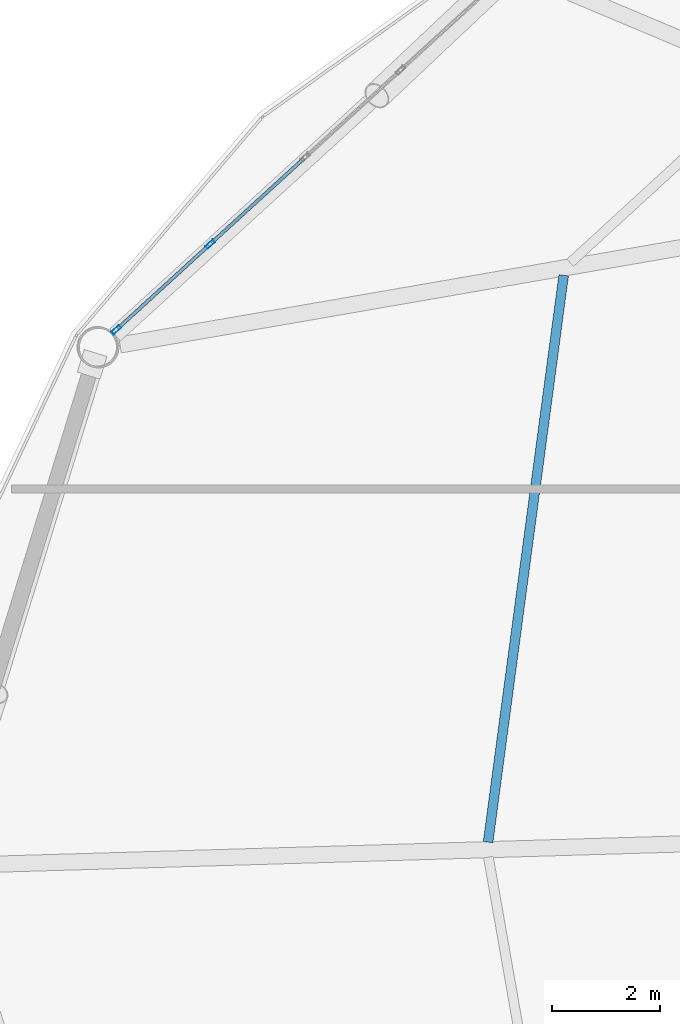
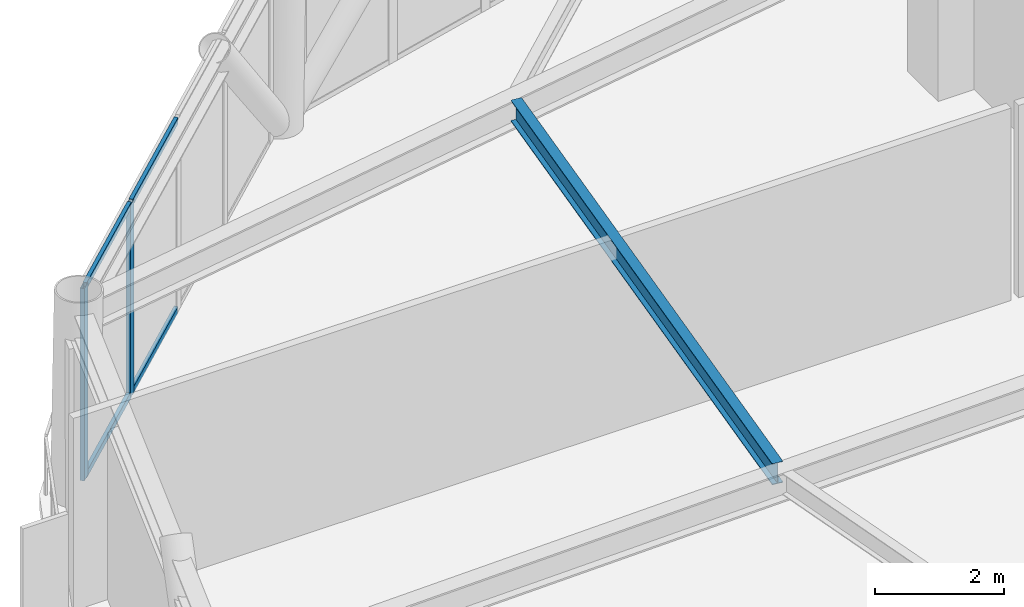
# One storey, part 10 of 25: 6 members, 1 beam, 1 element without a shape of its own.
"""IFC4 building model written with IfcOpenShell, lengths in metres."""

from ifc_helpers import new_model, si_unit, direction, frame, origin, origin_2d, place, context, subcontext, project, spatial, hollow_rectangle, i_section, extrude, material, layer, layer_set, material_profile, profile_set, type_object, element, aggregate, save


model = new_model("IFC4")

# Units and contexts
model_context = context("Model", 3, precision=1e-05, world=origin(), true_north=direction((0.0, 1.0)))
body_context = subcontext(model_context, "Body", "Model", "MODEL_VIEW")
ifc_project = project(units=[si_unit("LENGTHUNIT", "METRE"), si_unit("AREAUNIT", "SQUARE_METRE"), si_unit("VOLUMEUNIT", "CUBIC_METRE"), si_unit("PLANEANGLEUNIT", "RADIAN"), si_unit("MASSUNIT", "GRAM", prefix="KILO")], contexts=[model_context])

# Site, building, storey
site_placement = place(None, origin())
site = spatial("IfcSite", under=ifc_project, at=site_placement, CompositionType="ELEMENT")
building_placement = place(site_placement, origin())
building = spatial("IfcBuilding", under=site, at=building_placement, Name="Varnakorn Sky Granary", CompositionType="ELEMENT")
storey_placement = place(building_placement, frame((0.0, 0.0, 122.699951171875)))
storey = spatial("IfcBuildingStorey", under=building, at=storey_placement, Name="L30", CompositionType="ELEMENT", Elevation=122.699951171875)

# Beam
ifc_material_1 = material(Name="Steel S355JR", Category="steel")
ifc_material_profile_1 = material_profile(ifc_material_1, i_section(OverallWidth=0.179931640625, OverallDepth=0.39990234375, WebThickness=0.008544921875, FlangeThickness=0.013427734375, at=origin_2d()), Name="IPE 400")
ifc_profile_set_1 = profile_set([ifc_material_profile_1], Name="Steel S355JR")
beam_type = type_object("IfcBeamType", Name="BM-SEC-Z3", PredefinedType="BEAM", material=ifc_profile_set_1)
beam_placement = place(storey_placement, frame((-11.119140625, 10.976318359375, 3.43994140625), z_axis=(-0.132223886247, -0.99121987667, 0.0), x_axis=(0.99121987667, -0.132223886247, 0.0)))
element("IfcBeam", 1, at=beam_placement, inside=storey, type_object=beam_type, Name="Secondary Floor Chord Beam MSB06 L30", PredefinedType="BEAM", context=body_context, shape_type="SweptSolid", body=[
    extrude(i_section(OverallWidth=0.179931640625, OverallDepth=0.39990234375, WebThickness=0.008544921875, FlangeThickness=0.013427734375, at=origin_2d()), origin(), (0.0, 0.0, 1.0), 10.631591796875),
])

# Curtain wall, members
ifc_material_2 = material(Name="Anodised Bronze Aluminium Alloy 6063-T6", Category="aluminium")
ifc_layer = layer(ifc_material_2, 0.179931640625, Name="Anodised Bronze Aluminium Alloy 6063-T6")
ifc_layer_set = layer_set([ifc_layer], Name="Anodised Bronze Aluminium Alloy 6063-T6")
curtain_wall_type = type_object("IfcCurtainWallType", Name="CW-FRM-2", PredefinedType="USERDEFINED", material=ifc_layer_set)
curtain_wall_placement = place(storey_placement, origin())
curtain_wall = element("IfcCurtainWall", 2, at=curtain_wall_placement, inside=storey, type_object=curtain_wall_type, Name="Unitised Curtain Wall CW4 CW-L30-B05", ObjectType="CURTAIN WALL", PredefinedType="USERDEFINED")
ifc_material_profile_2 = material_profile(ifc_material_2, hollow_rectangle(XDim=0.070068359375, YDim=0.18505859375, WallThickness=0.00390625, at=origin_2d()), Name="ALU MULL 70x185")
ifc_profile_set_2 = profile_set([ifc_material_profile_2], Name="Anodised Bronze Aluminium Alloy 6063-T6")
member_type_1 = type_object("IfcMemberType", Name="CW-FRM-2-MULL", PredefinedType="MULLION", material=ifc_profile_set_2)
member_1_placement = place(storey_placement, frame((-19.4345703125, 9.964111328125, 0.0), z_axis=(0.0, 0.0, 1.0), x_axis=(-0.674407385715, 0.738359450466, 0.0)))
member_1 = element("IfcMember", 3, at=member_1_placement, type_object=member_type_1, Name="CW4 mullion 1", PredefinedType="MULLION", context=body_context, shape_type="SweptSolid", body=[
    extrude(hollow_rectangle(XDim=0.070068359375, YDim=0.18505859375, WallThickness=0.00390625, at=origin_2d()), origin(), (0.0, 0.0, 1.0), 3.64013671875),
])
member_2_placement = place(storey_placement, frame((-17.691162109375, 11.556396484375, 0.0), z_axis=(0.0, 0.0, 1.0), x_axis=(-0.674407385715, 0.738359450466, 0.0)))
member_2 = element("IfcMember", 4, at=member_2_placement, type_object=member_type_1, Name="CW4 mullion 2", PredefinedType="MULLION", context=body_context, shape_type="SweptSolid", body=[
    extrude(hollow_rectangle(XDim=0.070068359375, YDim=0.18505859375, WallThickness=0.00390625, at=origin_2d()), origin(), (0.0, 0.0, 1.0), 3.64013671875),
])
ifc_material_profile_3 = material_profile(ifc_material_2, hollow_rectangle(XDim=0.06494140625, YDim=0.1201171875, WallThickness=0.00341796875, at=origin_2d()), Name="ALU TRAN 65x120")
ifc_profile_set_3 = profile_set([ifc_material_profile_3], Name="Anodised Bronze Aluminium Alloy 6063-T6")
member_type_2 = type_object("IfcMemberType", Name="CW-FRM-2-TRAN", PredefinedType="USERDEFINED", material=ifc_profile_set_3)
member_3_placement = place(storey_placement, frame((-19.408935546875, 9.987548828125, 0.032470703125), z_axis=(0.738347081543, 0.674420927297, 0.0), x_axis=(-0.674420927297, 0.738347081543, 0.0)))
member_3 = element("IfcMember", 5, at=member_3_placement, type_object=member_type_2, Name="CW4 transom 1.1", ObjectType="TRANSOM", PredefinedType="USERDEFINED", context=body_context, shape_type="SweptSolid", body=[
    extrude(hollow_rectangle(XDim=0.06494140625, YDim=0.1201171875, WallThickness=0.00341796875, at=origin_2d()), origin(), (0.0, 0.0, 1.0), 2.29150390625),
])
member_4_placement = place(storey_placement, frame((-19.408935546875, 9.987548828125, 3.607666015625), z_axis=(0.738347081543, 0.674420927297, 0.0), x_axis=(-0.674420927297, 0.738347081543, 0.0)))
member_4 = element("IfcMember", 6, at=member_4_placement, type_object=member_type_2, Name="CW4 transom 1.2", ObjectType="TRANSOM", PredefinedType="USERDEFINED", context=body_context, shape_type="SweptSolid", body=[
    extrude(hollow_rectangle(XDim=0.06494140625, YDim=0.1201171875, WallThickness=0.00341796875, at=origin_2d()), origin(), (0.0, 0.0, 1.0), 2.29150390625),
])
member_5_placement = place(storey_placement, frame((-17.665283203125, 11.580078125, 0.032470703125), z_axis=(0.738342330442, 0.674426128703, 0.0), x_axis=(-0.674426128703, 0.738342330442, 0.0)))
member_5 = element("IfcMember", 7, at=member_5_placement, type_object=member_type_2, Name="CW4 transom 2.1", ObjectType="TRANSOM", PredefinedType="USERDEFINED", context=body_context, shape_type="SweptSolid", body=[
    extrude(hollow_rectangle(XDim=0.06494140625, YDim=0.1201171875, WallThickness=0.00341796875, at=origin_2d()), origin(), (0.0, 0.0, 1.0), 2.326171875),
])
member_6_placement = place(storey_placement, frame((-17.665283203125, 11.580078125, 3.607666015625), z_axis=(0.738342330442, 0.674426128703, 0.0), x_axis=(-0.674426128703, 0.738342330442, 0.0)))
member_6 = element("IfcMember", 8, at=member_6_placement, type_object=member_type_2, Name="CW4 transom 2.2", ObjectType="TRANSOM", PredefinedType="USERDEFINED", context=body_context, shape_type="SweptSolid", body=[
    extrude(hollow_rectangle(XDim=0.06494140625, YDim=0.1201171875, WallThickness=0.00341796875, at=origin_2d()), origin(), (0.0, 0.0, 1.0), 2.326171875),
])
aggregate(curtain_wall, [member_1, member_2, member_3, member_4, member_5, member_6])

save(model, "model.ifc")
